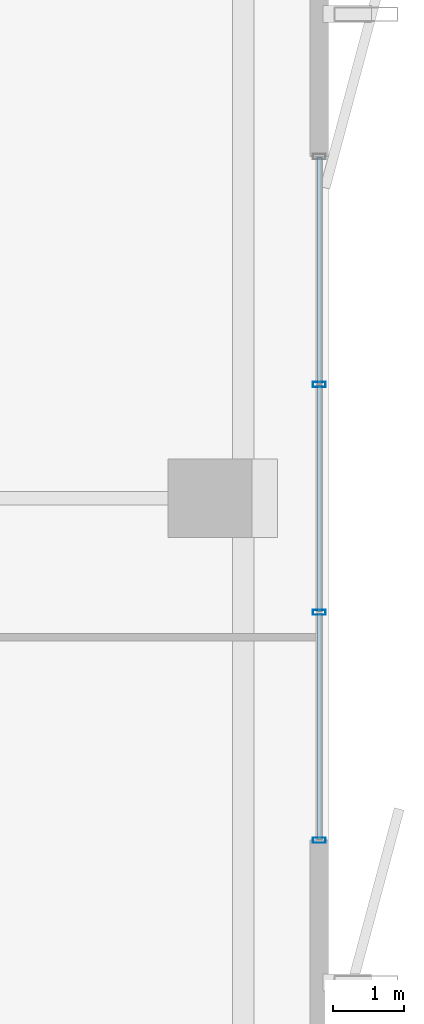
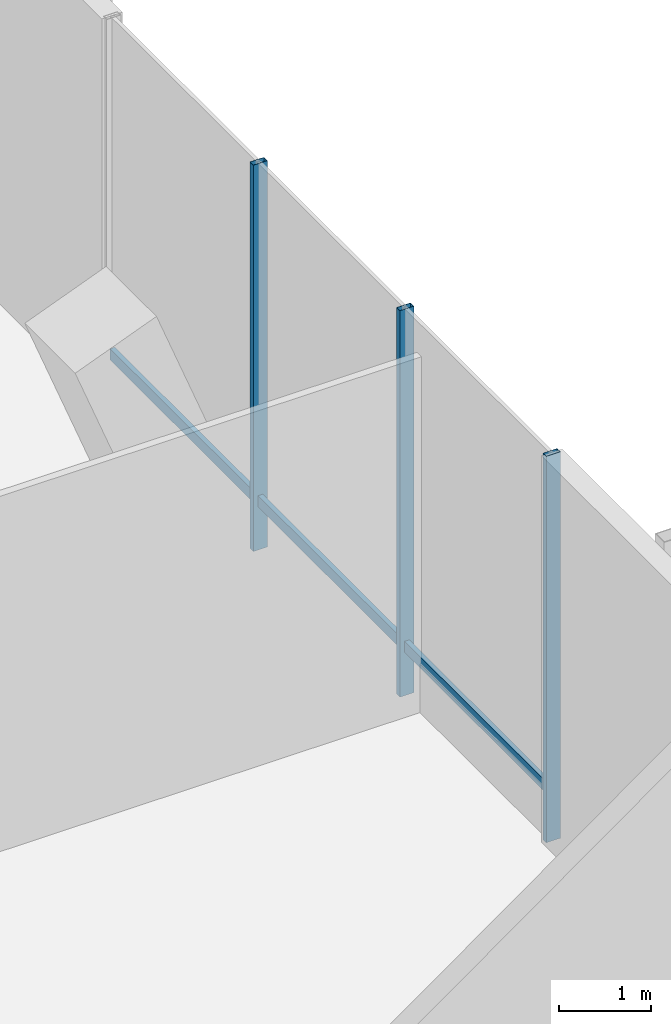
# One storey, part 16 of 33: 6 members, 1 element without a shape of its own.
"""IFC4 building model written with IfcOpenShell, lengths in metres."""

from ifc_helpers import new_model, si_unit, direction, frame, origin, origin_2d, place, context, subcontext, project, spatial, hollow_rectangle, extrude, material, layer, layer_set, material_profile, profile_set, type_object, element, aggregate, save


model = new_model("IFC4")

# Units and contexts
model_context = context("Model", 3, precision=1e-05, world=origin(), true_north=direction((0.0, 1.0)))
body_context = subcontext(model_context, "Body", "Model", "MODEL_VIEW")
ifc_project = project(units=[si_unit("LENGTHUNIT", "METRE"), si_unit("AREAUNIT", "SQUARE_METRE"), si_unit("VOLUMEUNIT", "CUBIC_METRE"), si_unit("PLANEANGLEUNIT", "RADIAN"), si_unit("MASSUNIT", "GRAM", prefix="KILO")], contexts=[model_context])

# Site, building, storey
site_placement = place(None, origin())
site = spatial("IfcSite", under=ifc_project, at=site_placement, CompositionType="ELEMENT")
building_placement = place(site_placement, origin())
building = spatial("IfcBuilding", under=site, at=building_placement, Name="Belovzor Exchange Tower", CompositionType="ELEMENT")
storey_placement = place(building_placement, frame((0.0, 0.0, 241.199951171875)))
storey = spatial("IfcBuildingStorey", under=building, at=storey_placement, Name="L60", CompositionType="ELEMENT", Elevation=241.199951171875)

# Curtain wall, members
ifc_material_1 = material(Name="Anodised Aluminium Framing", Category="aluminium")
ifc_layer = layer(ifc_material_1, 0.239990234375)
ifc_layer_set = layer_set([ifc_layer], Name="Anodised Aluminium Framing")
curtain_wall_type = type_object("IfcCurtainWallType", Name="Sky-Lobby Double-Skin Acoustic Curtain Wall", PredefinedType="NOTDEFINED", material=ifc_layer_set)
curtain_wall_placement = place(storey_placement, origin())
curtain_wall = element("IfcCurtainWall", 1, at=curtain_wall_placement, inside=storey, type_object=curtain_wall_type, Name="CW4 Sky-Lobby Double-Skin Acoustic Curtain Wall L60", PredefinedType="NOTDEFINED")
ifc_material_2 = material(Name="Steel S355", Category="steel")
ifc_material_profile_1 = material_profile(ifc_material_2, hollow_rectangle(XDim=0.074951171875, YDim=0.179931640625, WallThickness=0.0048828125, at=origin_2d()))
ifc_profile_set_1 = profile_set([ifc_material_profile_1], Name="Steel S355")
member_type_1 = type_object("IfcMemberType", Name="Thermally Broken Curtain Wall Mullion 180x75", PredefinedType="MULLION", material=ifc_profile_set_1)
member_1_placement = place(storey_placement, frame((55.669921875, 30.39990234375, 0.0), z_axis=(0.0, 0.0, 1.0), x_axis=(0.0, -1.0, 0.0)))
member_1 = element("IfcMember", 2, at=member_1_placement, type_object=member_type_1, Name="CW-M180 Curtain Wall Mullion 2", PredefinedType="MULLION", context=body_context, shape_type="SweptSolid", body=[
    extrude(hollow_rectangle(XDim=0.074951171875, YDim=0.179931640625, WallThickness=0.0048828125, at=origin_2d()), origin(), (0.0, 0.0, 1.0), 5.150146484375),
])
member_2_placement = place(storey_placement, frame((55.669921875, 27.199951171875, 0.0), z_axis=(0.0, 0.0, 1.0), x_axis=(0.0, -1.0, 0.0)))
member_2 = element("IfcMember", 3, at=member_2_placement, type_object=member_type_1, Name="CW-M180 Curtain Wall Mullion 3", PredefinedType="MULLION", context=body_context, shape_type="SweptSolid", body=[
    extrude(hollow_rectangle(XDim=0.074951171875, YDim=0.179931640625, WallThickness=0.0048828125, at=origin_2d()), origin(), (0.0, 0.0, 1.0), 5.150146484375),
])
member_3_placement = place(storey_placement, frame((55.669921875, 24.0, 0.0), z_axis=(0.0, 0.0, 1.0), x_axis=(0.0, -1.0, 0.0)))
member_3 = element("IfcMember", 4, at=member_3_placement, type_object=member_type_1, Name="CW-M180 Curtain Wall Mullion 4", PredefinedType="MULLION", context=body_context, shape_type="SweptSolid", body=[
    extrude(hollow_rectangle(XDim=0.074951171875, YDim=0.179931640625, WallThickness=0.0048828125, at=origin_2d()), origin(), (0.0, 0.0, 1.0), 5.150146484375),
])
ifc_material_3 = material(Name="Steel S355", Category="steel")
ifc_material_profile_2 = material_profile(ifc_material_3, hollow_rectangle(XDim=0.06005859375, YDim=0.14990234375, WallThickness=0.00390625, at=origin_2d()))
ifc_profile_set_2 = profile_set([ifc_material_profile_2], Name="Steel S355")
member_type_2 = type_object("IfcMemberType", Name="Thermally Broken Curtain Wall Transom 150x60", PredefinedType="USERDEFINED", material=ifc_profile_set_2)
member_4_placement = place(storey_placement, frame((55.669921875, 33.592041015625, 0.650146484375), z_axis=(0.0, -1.0, 0.0), x_axis=(1.0, 0.0, 0.0)))
member_4 = element("IfcMember", 5, at=member_4_placement, type_object=member_type_2, Name="CW-T150 Curtain Wall Transom 1", ObjectType="TRANSOM", PredefinedType="USERDEFINED", context=body_context, shape_type="SweptSolid", body=[
    extrude(hollow_rectangle(XDim=0.06005859375, YDim=0.14990234375, WallThickness=0.00390625, at=origin_2d()), origin(), (0.0, 0.0, 1.0), 3.18408203125),
])
member_5_placement = place(storey_placement, frame((55.669921875, 30.39208984375, 0.650146484375), z_axis=(0.0, -1.0, 0.0), x_axis=(1.0, 0.0, 0.0)))
member_5 = element("IfcMember", 6, at=member_5_placement, type_object=member_type_2, Name="CW-T150 Curtain Wall Transom 2", ObjectType="TRANSOM", PredefinedType="USERDEFINED", context=body_context, shape_type="SweptSolid", body=[
    extrude(hollow_rectangle(XDim=0.06005859375, YDim=0.14990234375, WallThickness=0.00390625, at=origin_2d()), origin(), (0.0, 0.0, 1.0), 3.18408203125),
])
member_6_placement = place(storey_placement, frame((55.669921875, 27.19189453125, 0.650146484375), z_axis=(0.0, -1.0, 0.0), x_axis=(1.0, 0.0, 0.0)))
member_6 = element("IfcMember", 7, at=member_6_placement, type_object=member_type_2, Name="CW-T150 Curtain Wall Transom 3", ObjectType="TRANSOM", PredefinedType="USERDEFINED", context=body_context, shape_type="SweptSolid", body=[
    extrude(hollow_rectangle(XDim=0.06005859375, YDim=0.14990234375, WallThickness=0.00390625, at=origin_2d()), origin(), (0.0, 0.0, 1.0), 3.183837890625),
])
aggregate(curtain_wall, [member_1, member_2, member_3, member_4, member_5, member_6])

save(model, "model.ifc")
